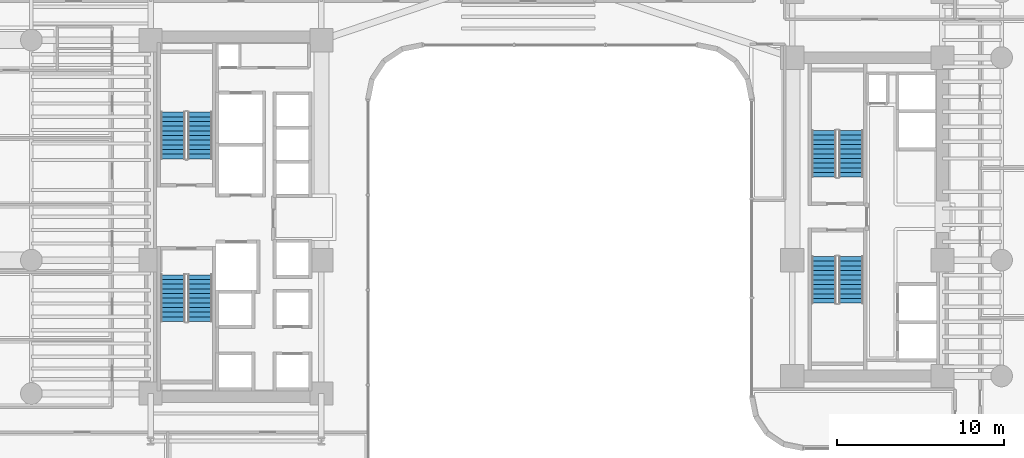
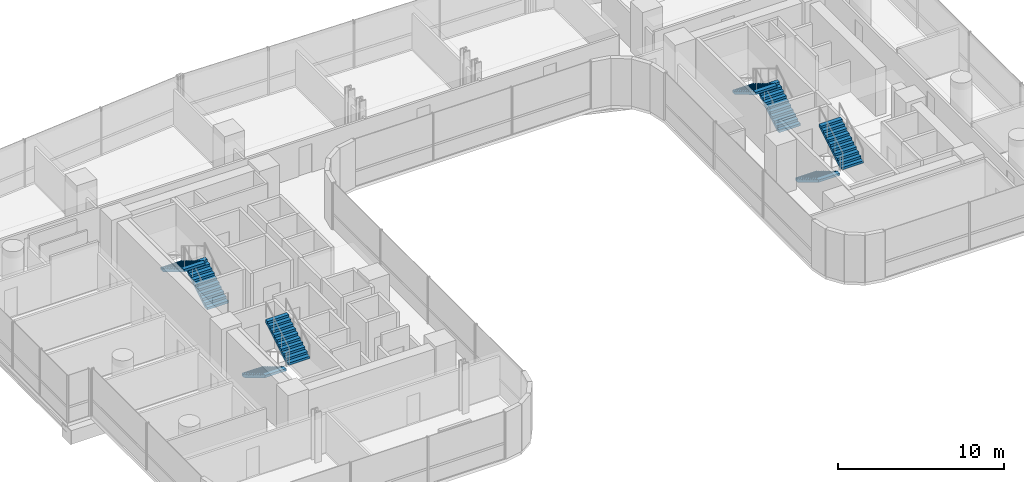
# One storey, part 34 of 38: 8 stair flights, 4 elements without a shape of their own.
"""IFC4 building model written with IfcOpenShell, lengths in metres."""

from ifc_helpers import new_model, si_unit, direction, frame, origin, place, context, subcontext, project, spatial, polyline, outline, extrude, material, type_object, element, aggregate, save


model = new_model("IFC4")

# Units and contexts
model_context = context("Model", 3, precision=1e-05, world=origin(), true_north=direction((0.0, 1.0)))
body_context = subcontext(model_context, "Body", "Model", "MODEL_VIEW")
ifc_project = project(units=[si_unit("LENGTHUNIT", "METRE"), si_unit("AREAUNIT", "SQUARE_METRE"), si_unit("VOLUMEUNIT", "CUBIC_METRE"), si_unit("PLANEANGLEUNIT", "RADIAN"), si_unit("MASSUNIT", "GRAM", prefix="KILO")], contexts=[model_context])

# Site, building, storey
site_placement = place(None, origin())
site = spatial("IfcSite", under=ifc_project, at=site_placement, CompositionType="ELEMENT")
building_placement = place(site_placement, origin())
building = spatial("IfcBuilding", under=site, at=building_placement, Name="Valdorenza Pilgrim Sanctuary Tower", CompositionType="ELEMENT")
storey_placement = place(building_placement, frame((0.0, 0.0, 37.10009765625)))
storey = spatial("IfcBuildingStorey", under=building, at=storey_placement, Name="L08", CompositionType="ELEMENT", Elevation=37.10009765625)

# Stair, stair flights
ifc_material = material(Name="Concrete C40/50", Category="concrete")
stair_type = type_object("IfcStairType", Name="STR-DOG-CORE", PredefinedType="HALF_TURN_STAIR", material=ifc_material)
stair_1_placement = place(storey_placement, origin())
stair_1 = element("IfcStair", 1, at=stair_1_placement, inside=storey, type_object=stair_type, Name="L08 ST-A1", PredefinedType="HALF_TURN_STAIR")
stair_flight_type = type_object("IfcStairFlightType", Name="STF-RC-1400", PredefinedType="STRAIGHT", material=ifc_material)
stair_flight_1_placement = place(storey_placement, frame((-19.679931640625, 3.47998046875, 0.0), z_axis=(0.0, 0.0, 1.0), x_axis=(0.0, 1.0, 0.0)))
stair_flight_1 = element("IfcStairFlight", 2, at=stair_flight_1_placement, type_object=stair_flight_type, Name="ST-A1 flight 1", NumberOfRisers=11, NumberOfTreads=10, PredefinedType="STRAIGHT", RiserHeight=0.168181818, TreadLength=0.28, context=body_context, shape_type="SweptSolid", body=[
    extrude(outline(polyline([(0.0, 0.0), (0.0, 0.168212890625), (0.280029296875, 0.168212890625), (0.280029296875, 0.33642578125), (0.56005859375, 0.33642578125), (0.56005859375, 0.504638671875), (0.840087890625, 0.504638671875), (0.840087890625, 0.672607421875), (1.1201171875, 0.672607421875), (1.1201171875, 0.8408203125), (1.39990234375, 0.8408203125), (1.39990234375, 1.009033203125), (1.679931640625, 1.009033203125), (1.679931640625, 1.17724609375), (1.9599609375, 1.17724609375), (1.9599609375, 1.345458984375), (2.239990234375, 1.345458984375), (2.239990234375, 1.513671875), (2.52001953125, 1.513671875), (2.52001953125, 1.681884765625), (2.800048828125, 1.681884765625), (2.800048828125, 1.85009765625), (2.800048828125, 1.5068359375), (0.291015625, 0.0), (0.0, 0.0)])), frame((0.0, 0.739990234375, 0.0), z_axis=(0.0, -1.0, 0.0), x_axis=(1.0, 0.0, 0.0)), (0.0, 0.0, 1.0), 1.47998046875),
])
stair_flight_2_placement = place(storey_placement, frame((-21.31005859375, 6.280029296875, 1.849853515625), z_axis=(0.0, 0.0, 1.0), x_axis=(0.0, -1.0, 0.0)))
stair_flight_2 = element("IfcStairFlight", 3, at=stair_flight_2_placement, type_object=stair_flight_type, Name="ST-A1 flight 2", NumberOfRisers=11, NumberOfTreads=10, PredefinedType="STRAIGHT", RiserHeight=0.168181818, TreadLength=0.28, context=body_context, shape_type="SweptSolid", body=[
    extrude(outline(polyline([(0.0, 0.0), (0.0, 0.168212890625), (0.280029296875, 0.168212890625), (0.280029296875, 0.33642578125), (0.56005859375, 0.33642578125), (0.56005859375, 0.504638671875), (0.840087890625, 0.504638671875), (0.840087890625, 0.672607421875), (1.1201171875, 0.672607421875), (1.1201171875, 0.8408203125), (1.39990234375, 0.8408203125), (1.39990234375, 1.009033203125), (1.679931640625, 1.009033203125), (1.679931640625, 1.17724609375), (1.9599609375, 1.17724609375), (1.9599609375, 1.345458984375), (2.239990234375, 1.345458984375), (2.239990234375, 1.513671875), (2.52001953125, 1.513671875), (2.52001953125, 1.681884765625), (2.800048828125, 1.681884765625), (2.800048828125, 1.85009765625), (2.800048828125, 1.5068359375), (0.291015625, 0.0), (0.0, 0.0)])), frame((0.0, 0.739990234375, 0.0), z_axis=(0.0, -1.0, 0.0), x_axis=(1.0, 0.0, 0.0)), (0.0, 0.0, 1.0), 1.47998046875),
])
aggregate(stair_1, [stair_flight_1, stair_flight_2])

stair_2_placement = place(storey_placement, origin())
stair_2 = element("IfcStair", 4, at=stair_2_placement, inside=storey, type_object=stair_type, Name="L08 ST-A2", PredefinedType="HALF_TURN_STAIR")
stair_flight_3_placement = place(storey_placement, frame((-21.31005859375, -3.47998046875, 0.0), z_axis=(0.0, 0.0, 1.0), x_axis=(0.0, -1.0, 0.0)))
stair_flight_3 = element("IfcStairFlight", 5, at=stair_flight_3_placement, type_object=stair_flight_type, Name="ST-A2 flight 1", NumberOfRisers=11, NumberOfTreads=10, PredefinedType="STRAIGHT", RiserHeight=0.168181818, TreadLength=0.28, context=body_context, shape_type="SweptSolid", body=[
    extrude(outline(polyline([(0.0, 0.0), (0.0, 0.168212890625), (0.280029296875, 0.168212890625), (0.280029296875, 0.33642578125), (0.56005859375, 0.33642578125), (0.56005859375, 0.504638671875), (0.840087890625, 0.504638671875), (0.840087890625, 0.672607421875), (1.1201171875, 0.672607421875), (1.1201171875, 0.8408203125), (1.39990234375, 0.8408203125), (1.39990234375, 1.009033203125), (1.679931640625, 1.009033203125), (1.679931640625, 1.17724609375), (1.9599609375, 1.17724609375), (1.9599609375, 1.345458984375), (2.239990234375, 1.345458984375), (2.239990234375, 1.513671875), (2.52001953125, 1.513671875), (2.52001953125, 1.681884765625), (2.800048828125, 1.681884765625), (2.800048828125, 1.85009765625), (2.800048828125, 1.5068359375), (0.291015625, 0.0), (0.0, 0.0)])), frame((0.0, 0.739990234375, 0.0), z_axis=(0.0, -1.0, 0.0), x_axis=(1.0, 0.0, 0.0)), (0.0, 0.0, 1.0), 1.47998046875),
])
stair_flight_4_placement = place(storey_placement, frame((-19.679931640625, -6.280029296875, 1.849853515625), z_axis=(0.0, 0.0, 1.0), x_axis=(0.0, 1.0, 0.0)))
stair_flight_4 = element("IfcStairFlight", 6, at=stair_flight_4_placement, type_object=stair_flight_type, Name="ST-A2 flight 2", NumberOfRisers=11, NumberOfTreads=10, PredefinedType="STRAIGHT", RiserHeight=0.168181818, TreadLength=0.28, context=body_context, shape_type="SweptSolid", body=[
    extrude(outline(polyline([(0.0, 0.0), (0.0, 0.168212890625), (0.280029296875, 0.168212890625), (0.280029296875, 0.33642578125), (0.56005859375, 0.33642578125), (0.56005859375, 0.504638671875), (0.840087890625, 0.504638671875), (0.840087890625, 0.672607421875), (1.1201171875, 0.672607421875), (1.1201171875, 0.8408203125), (1.39990234375, 0.8408203125), (1.39990234375, 1.009033203125), (1.679931640625, 1.009033203125), (1.679931640625, 1.17724609375), (1.9599609375, 1.17724609375), (1.9599609375, 1.345458984375), (2.239990234375, 1.345458984375), (2.239990234375, 1.513671875), (2.52001953125, 1.513671875), (2.52001953125, 1.681884765625), (2.800048828125, 1.681884765625), (2.800048828125, 1.85009765625), (2.800048828125, 1.5068359375), (0.291015625, 0.0), (0.0, 0.0)])), frame((0.0, 0.739990234375, 0.0), z_axis=(0.0, -1.0, 0.0), x_axis=(1.0, 0.0, 0.0)), (0.0, 0.0, 1.0), 1.47998046875),
])
aggregate(stair_2, [stair_flight_3, stair_flight_4])

stair_3_placement = place(storey_placement, origin())
stair_3 = element("IfcStair", 7, at=stair_3_placement, inside=storey, type_object=stair_type, Name="L08 ST-B1", PredefinedType="HALF_TURN_STAIR")
stair_flight_5_placement = place(storey_placement, frame((19.3701171875, 2.3798828125, 0.0), z_axis=(0.0, 0.0, 1.0), x_axis=(0.0, 1.0, 0.0)))
stair_flight_5 = element("IfcStairFlight", 8, at=stair_flight_5_placement, type_object=stair_flight_type, Name="ST-B1 flight 1", NumberOfRisers=11, NumberOfTreads=10, PredefinedType="STRAIGHT", RiserHeight=0.168181818, TreadLength=0.28, context=body_context, shape_type="SweptSolid", body=[
    extrude(outline(polyline([(0.0, 0.0), (0.0, 0.168212890625), (0.280029296875, 0.168212890625), (0.280029296875, 0.33642578125), (0.56005859375, 0.33642578125), (0.56005859375, 0.504638671875), (0.840087890625, 0.504638671875), (0.840087890625, 0.672607421875), (1.1201171875, 0.672607421875), (1.1201171875, 0.8408203125), (1.39990234375, 0.8408203125), (1.39990234375, 1.009033203125), (1.679931640625, 1.009033203125), (1.679931640625, 1.17724609375), (1.9599609375, 1.17724609375), (1.9599609375, 1.345458984375), (2.239990234375, 1.345458984375), (2.239990234375, 1.513671875), (2.52001953125, 1.513671875), (2.52001953125, 1.681884765625), (2.800048828125, 1.681884765625), (2.800048828125, 1.85009765625), (2.800048828125, 1.5068359375), (0.291015625, 0.0), (0.0, 0.0)])), frame((0.0, 0.739990234375, 0.0), z_axis=(0.0, -1.0, 0.0), x_axis=(1.0, 0.0, 0.0)), (0.0, 0.0, 1.0), 1.47998046875),
])
stair_flight_6_placement = place(storey_placement, frame((17.739990234375, 5.179931640625, 1.849853515625), z_axis=(0.0, 0.0, 1.0), x_axis=(0.0, -1.0, 0.0)))
stair_flight_6 = element("IfcStairFlight", 9, at=stair_flight_6_placement, type_object=stair_flight_type, Name="ST-B1 flight 2", NumberOfRisers=11, NumberOfTreads=10, PredefinedType="STRAIGHT", RiserHeight=0.168181818, TreadLength=0.28, context=body_context, shape_type="SweptSolid", body=[
    extrude(outline(polyline([(0.0, 0.0), (0.0, 0.168212890625), (0.280029296875, 0.168212890625), (0.280029296875, 0.33642578125), (0.56005859375, 0.33642578125), (0.56005859375, 0.504638671875), (0.840087890625, 0.504638671875), (0.840087890625, 0.672607421875), (1.1201171875, 0.672607421875), (1.1201171875, 0.8408203125), (1.39990234375, 0.8408203125), (1.39990234375, 1.009033203125), (1.679931640625, 1.009033203125), (1.679931640625, 1.17724609375), (1.9599609375, 1.17724609375), (1.9599609375, 1.345458984375), (2.239990234375, 1.345458984375), (2.239990234375, 1.513671875), (2.52001953125, 1.513671875), (2.52001953125, 1.681884765625), (2.800048828125, 1.681884765625), (2.800048828125, 1.85009765625), (2.800048828125, 1.5068359375), (0.291015625, 0.0), (0.0, 0.0)])), frame((0.0, 0.739990234375, 0.0), z_axis=(0.0, -1.0, 0.0), x_axis=(1.0, 0.0, 0.0)), (0.0, 0.0, 1.0), 1.47998046875),
])
aggregate(stair_3, [stair_flight_5, stair_flight_6])

stair_4_placement = place(storey_placement, origin())
stair_4 = element("IfcStair", 10, at=stair_4_placement, inside=storey, type_object=stair_type, Name="L08 ST-B2", PredefinedType="HALF_TURN_STAIR")
stair_flight_7_placement = place(storey_placement, frame((17.739990234375, -2.3798828125, 0.0), z_axis=(0.0, 0.0, 1.0), x_axis=(0.0, -1.0, 0.0)))
stair_flight_7 = element("IfcStairFlight", 11, at=stair_flight_7_placement, type_object=stair_flight_type, Name="ST-B2 flight 1", NumberOfRisers=11, NumberOfTreads=10, PredefinedType="STRAIGHT", RiserHeight=0.168181818, TreadLength=0.28, context=body_context, shape_type="SweptSolid", body=[
    extrude(outline(polyline([(0.0, 0.0), (0.0, 0.168212890625), (0.280029296875, 0.168212890625), (0.280029296875, 0.33642578125), (0.56005859375, 0.33642578125), (0.56005859375, 0.504638671875), (0.840087890625, 0.504638671875), (0.840087890625, 0.672607421875), (1.1201171875, 0.672607421875), (1.1201171875, 0.8408203125), (1.39990234375, 0.8408203125), (1.39990234375, 1.009033203125), (1.679931640625, 1.009033203125), (1.679931640625, 1.17724609375), (1.9599609375, 1.17724609375), (1.9599609375, 1.345458984375), (2.239990234375, 1.345458984375), (2.239990234375, 1.513671875), (2.52001953125, 1.513671875), (2.52001953125, 1.681884765625), (2.800048828125, 1.681884765625), (2.800048828125, 1.85009765625), (2.800048828125, 1.5068359375), (0.291015625, 0.0), (0.0, 0.0)])), frame((0.0, 0.739990234375, 0.0), z_axis=(0.0, -1.0, 0.0), x_axis=(1.0, 0.0, 0.0)), (0.0, 0.0, 1.0), 1.47998046875),
])
stair_flight_8_placement = place(storey_placement, frame((19.3701171875, -5.179931640625, 1.849853515625), z_axis=(0.0, 0.0, 1.0), x_axis=(0.0, 1.0, 0.0)))
stair_flight_8 = element("IfcStairFlight", 12, at=stair_flight_8_placement, type_object=stair_flight_type, Name="ST-B2 flight 2", NumberOfRisers=11, NumberOfTreads=10, PredefinedType="STRAIGHT", RiserHeight=0.168181818, TreadLength=0.28, context=body_context, shape_type="SweptSolid", body=[
    extrude(outline(polyline([(0.0, 0.0), (0.0, 0.168212890625), (0.280029296875, 0.168212890625), (0.280029296875, 0.33642578125), (0.56005859375, 0.33642578125), (0.56005859375, 0.504638671875), (0.840087890625, 0.504638671875), (0.840087890625, 0.672607421875), (1.1201171875, 0.672607421875), (1.1201171875, 0.8408203125), (1.39990234375, 0.8408203125), (1.39990234375, 1.009033203125), (1.679931640625, 1.009033203125), (1.679931640625, 1.17724609375), (1.9599609375, 1.17724609375), (1.9599609375, 1.345458984375), (2.239990234375, 1.345458984375), (2.239990234375, 1.513671875), (2.52001953125, 1.513671875), (2.52001953125, 1.681884765625), (2.800048828125, 1.681884765625), (2.800048828125, 1.85009765625), (2.800048828125, 1.5068359375), (0.291015625, 0.0), (0.0, 0.0)])), frame((0.0, 0.739990234375, 0.0), z_axis=(0.0, -1.0, 0.0), x_axis=(1.0, 0.0, 0.0)), (0.0, 0.0, 1.0), 1.47998046875),
])
aggregate(stair_4, [stair_flight_7, stair_flight_8])

save(model, "model.ifc")
